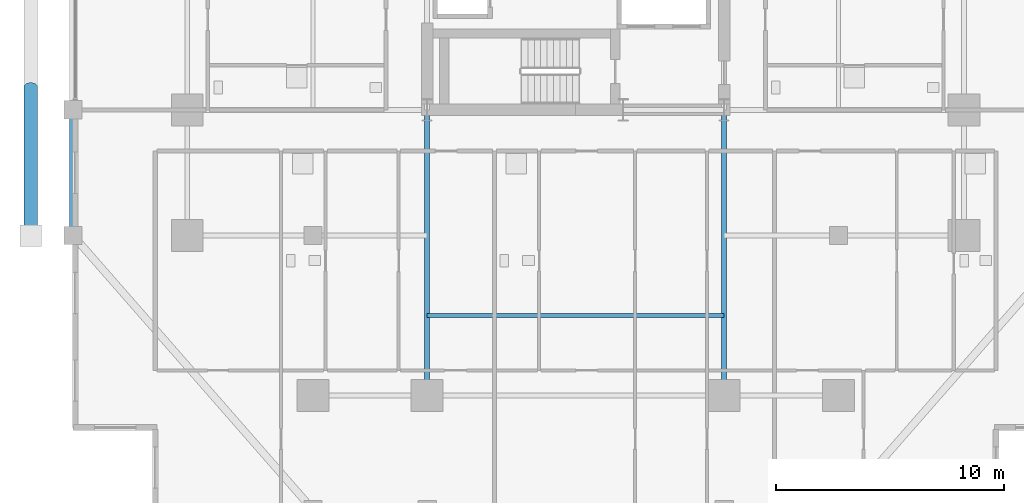
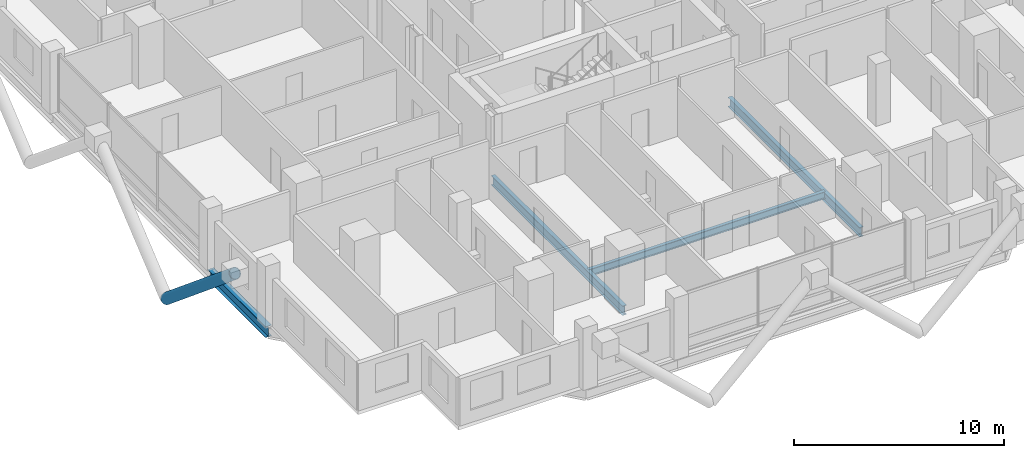
# One storey, part 3 of 24: 4 beams, 1 member.
"""IFC4 building model written with IfcOpenShell, lengths in metres."""

from ifc_helpers import new_model, si_unit, direction, frame, origin, origin_2d, place, context, subcontext, project, spatial, hollow_circle, i_section, extrude, material, material_profile, profile_set, type_object, element, save


model = new_model("IFC4")

# Units and contexts
model_context = context("Model", 3, precision=1e-05, world=origin(), true_north=direction((0.0, 1.0)))
body_context = subcontext(model_context, "Body", "Model", "MODEL_VIEW")
ifc_project = project(units=[si_unit("LENGTHUNIT", "METRE"), si_unit("AREAUNIT", "SQUARE_METRE"), si_unit("VOLUMEUNIT", "CUBIC_METRE"), si_unit("PLANEANGLEUNIT", "RADIAN"), si_unit("MASSUNIT", "GRAM", prefix="KILO")], contexts=[model_context])

# Site, building, storey
site_placement = place(None, origin())
site = spatial("IfcSite", under=ifc_project, at=site_placement, CompositionType="ELEMENT")
building_placement = place(site_placement, origin())
building = spatial("IfcBuilding", under=site, at=building_placement, Name="Barlavira Tower and Art Museum", CompositionType="ELEMENT")
storey_placement = place(building_placement, frame((0.0, 0.0, 46.800048828125)))
storey = spatial("IfcBuildingStorey", under=building, at=storey_placement, Name="L10", CompositionType="ELEMENT", Elevation=46.800048828125)

# Member
ifc_material = material(Name="Steel S355", Category="steel")
ifc_material_profile_1 = material_profile(ifc_material, hollow_circle(Radius=0.304931640625, WallThickness=0.028076171875, at=origin_2d()), Name="CHS 610.0x28.0")
ifc_profile_set_1 = profile_set([ifc_material_profile_1], Name="Steel S355")
member_type = type_object("IfcMemberType", Name="Pale-Metal Exoskeleton Diagrid Tube CHS 610x28 Steel S355", PredefinedType="BRACE", material=ifc_profile_set_1)
member_placement = place(storey_placement, frame((-23.85009765625, -6.5, -1.920166015625), z_axis=(0.0, -0.76918185268, 0.639029950399), x_axis=(1.0, 0.0, 0.0)))
element("IfcMember", 1, at=member_placement, inside=storey, type_object=member_type, Name="L10 Exoskeleton Diagrid Tube W", PredefinedType="BRACE", context=body_context, shape_type="SweptSolid", body=[
    extrude(hollow_circle(Radius=0.304931640625, WallThickness=0.028076171875, at=origin_2d()), origin(), (0.0, 0.0, 1.0), 8.450439453125),
])

# Beams
ifc_material_profile_2 = material_profile(ifc_material, i_section(OverallWidth=0.327880859375, OverallDepth=0.62890625, WebThickness=0.013916015625, FlangeThickness=0.021484375, at=origin_2d()), Name="W610x174.0")
ifc_profile_set_2 = profile_set([ifc_material_profile_2], Name="Steel S355")
beam_type_1 = type_object("IfcBeamType", Name="Perimeter Spandrel Edge Beam W610x174 Steel S355", PredefinedType="SPANDREL", material=ifc_profile_set_2)
beam_1_placement = place(storey_placement, frame((-22.0, -13.0, -0.53466796875), z_axis=(0.0, 1.0, 0.0), x_axis=(-1.0, 0.0, 0.0)))
element("IfcBeam", 2, at=beam_1_placement, inside=storey, type_object=beam_type_1, Name="L10 Spandrel 15", PredefinedType="SPANDREL", context=body_context, shape_type="SweptSolid", body=[
    extrude(i_section(OverallWidth=0.327880859375, OverallDepth=0.62890625, WebThickness=0.013916015625, FlangeThickness=0.021484375, at=origin_2d()), origin(), (0.0, 0.0, 1.0), 5.5),
])
ifc_material_profile_3 = material_profile(ifc_material, i_section(OverallWidth=0.180908203125, OverallDepth=0.4169921875, WebThickness=0.010986328125, FlangeThickness=0.018310546875, at=origin_2d()), Name="W410x85.0")
ifc_profile_set_3 = profile_set([ifc_material_profile_3], Name="Steel S355")
beam_type_2 = type_object("IfcBeamType", Name="Zone 1 Composite Floor Joist W410x85 Steel S355", PredefinedType="JOIST", material=ifc_profile_set_3)
beam_2_placement = place(storey_placement, frame((-6.5, -16.5, -0.428466796875), z_axis=(1.0, 0.0, 0.0), x_axis=(0.0, 1.0, 0.0)))
element("IfcBeam", 3, at=beam_2_placement, inside=storey, type_object=beam_type_2, Name="L10 Joist C1", PredefinedType="JOIST", context=body_context, shape_type="SweptSolid", body=[
    extrude(i_section(OverallWidth=0.180908203125, OverallDepth=0.4169921875, WebThickness=0.010986328125, FlangeThickness=0.018310546875, at=origin_2d()), origin(), (0.0, 0.0, 1.0), 13.0),
])
ifc_material_profile_4 = material_profile(ifc_material, i_section(OverallWidth=0.214111328125, OverallDepth=0.549072265625, WebThickness=0.0146484375, FlangeThickness=0.023681640625, at=origin_2d()), Name="W530x138.0")
ifc_profile_set_4 = profile_set([ifc_material_profile_4], Name="Steel S355")
beam_type_3 = type_object("IfcBeamType", Name="Zone 1 Primary Floor Girder W530x138 Steel S355", PredefinedType="BEAM", material=ifc_profile_set_4)
for number, where, z_axis, x_axis, name in (
    (4, (-6.5, -20.0, -0.49462890625), (0.0, 1.0, 0.0), (-1.0, 0.0, 0.0), "L10 Girder R-S1"),
    (5, (6.5, -20.0, -0.49462890625), (0.0, 1.0, 0.0), (-1.0, 0.0, 0.0), "L10 Girder R-S2"),
):
    element("IfcBeam", number, at=place(storey_placement, frame(where, z_axis=z_axis, x_axis=x_axis)), inside=storey, type_object=beam_type_3, Name=name, PredefinedType="BEAM", context=body_context, shape_type="SweptSolid", body=[
        extrude(i_section(OverallWidth=0.214111328125, OverallDepth=0.549072265625, WebThickness=0.0146484375, FlangeThickness=0.023681640625, at=origin_2d()), origin(), (0.0, 0.0, 1.0), 12.5),
    ])

save(model, "model.ifc")
